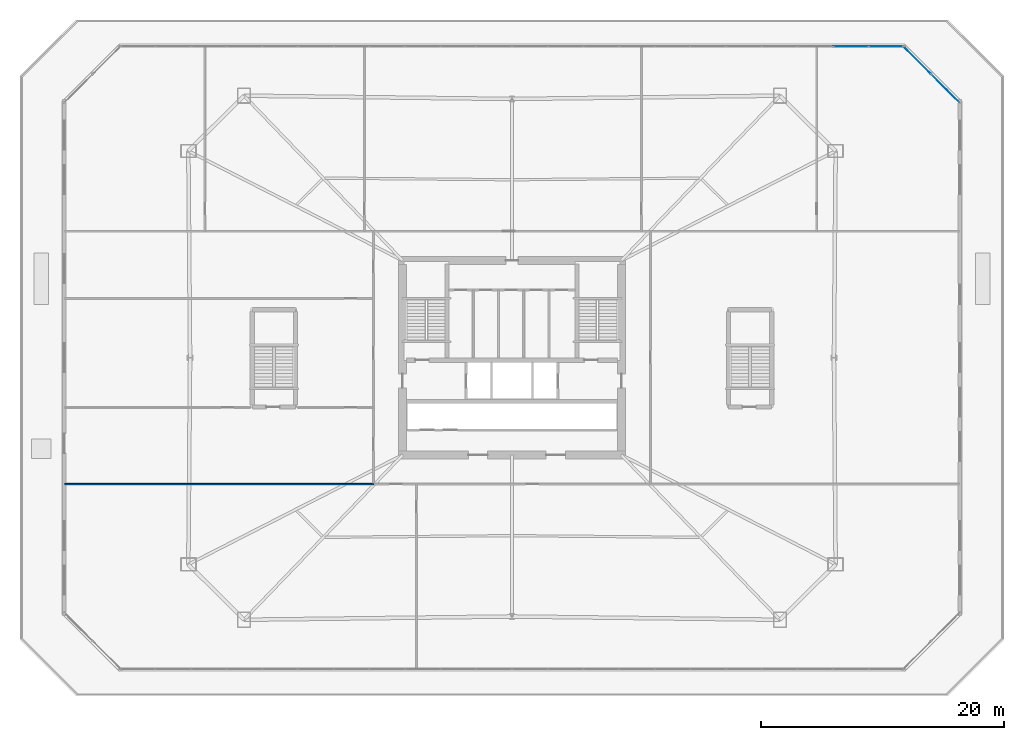
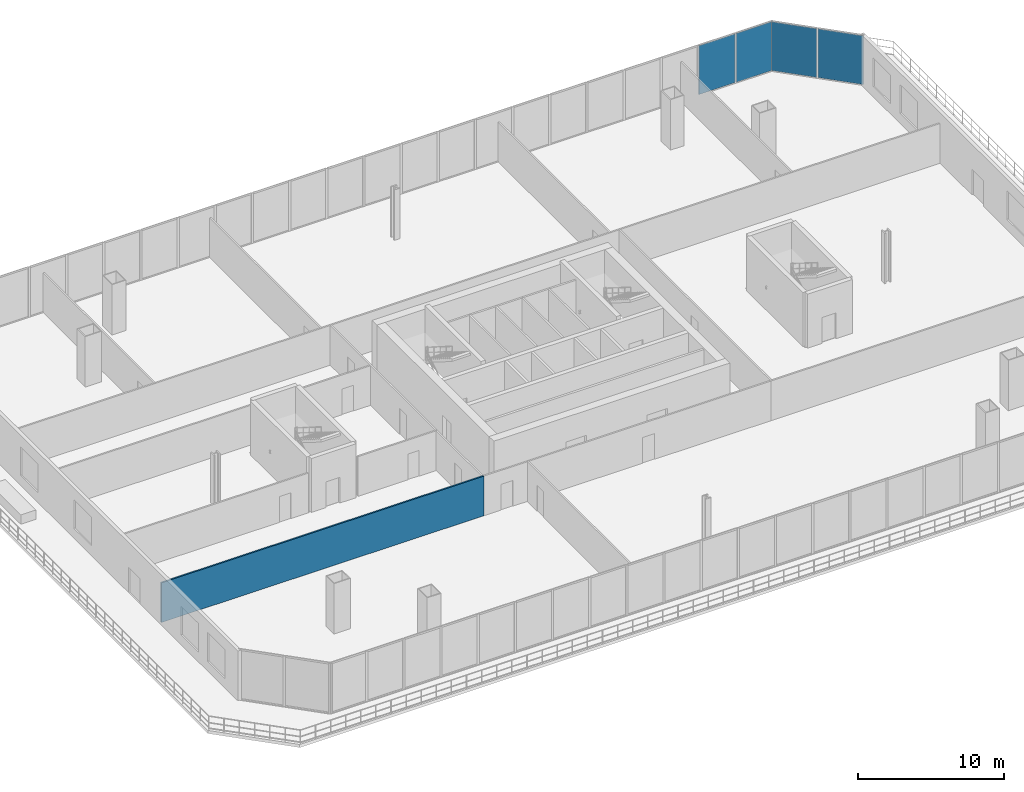
# One storey, part 24 of 31: 4 plates, 1 wall, 2 elements without a shape of their own.
"""IFC4 building model written with IfcOpenShell, lengths in metres."""

from ifc_helpers import new_model, si_unit, direction, frame, frame_2d, origin, origin_2d, place, context, subcontext, project, spatial, rectangle, extrude, material, layer, layer_set, type_object, element, aggregate, save


model = new_model("IFC4")

# Units and contexts
model_context = context("Model", 3, precision=1e-05, world=origin(), true_north=direction((0.0, 1.0)))
body_context = subcontext(model_context, "Body", "Model", "MODEL_VIEW")
ifc_project = project(units=[si_unit("LENGTHUNIT", "METRE"), si_unit("AREAUNIT", "SQUARE_METRE"), si_unit("VOLUMEUNIT", "CUBIC_METRE"), si_unit("PLANEANGLEUNIT", "RADIAN"), si_unit("MASSUNIT", "GRAM", prefix="KILO")], contexts=[model_context])

# Site, building, storey
site_placement = place(None, origin())
site = spatial("IfcSite", under=ifc_project, at=site_placement, CompositionType="ELEMENT")
building_placement = place(site_placement, origin())
building = spatial("IfcBuilding", under=site, at=building_placement, Name="Caelvoria Tower", CompositionType="ELEMENT")
storey_placement = place(building_placement, frame((0.0, 0.0, 9.5)))
storey = spatial("IfcBuildingStorey", under=building, at=storey_placement, Name="L02", CompositionType="ELEMENT", Elevation=9.5)

# Curtain wall, plates
ifc_material_1 = material(Name="Anodised Bronze Aluminium and Low-E Glass", Category="aluminium")
ifc_layer_1 = layer(ifc_material_1, 0.199951171875, Name="Anodised Bronze Aluminium and Low-E Glass")
ifc_layer_set_1 = layer_set([ifc_layer_1], Name="CW System 1 Podium Arcade Unitised Glazing - Anodised Bronze Aluminium and Low-E Glass")
curtain_wall_type = type_object("IfcCurtainWallType", Name="CW System 1 Podium Arcade Unitised Glazing", PredefinedType="NOTDEFINED", material=ifc_layer_set_1)
curtain_wall_1_placement = place(storey_placement, origin())
curtain_wall_1 = element("IfcCurtainWall", 1, at=curtain_wall_1_placement, inside=storey, type_object=curtain_wall_type, Name="CW-01 Curtain Wall L02-E3", PredefinedType="NOTDEFINED")
ifc_material_2 = material(Name="Tinted Low-E Insulated Glazing Unit", Category="glass")
ifc_layer_2 = layer(ifc_material_2, 0.028076171875, Name="Tinted Low-E Insulated Glazing Unit")
ifc_layer_set_2 = layer_set([ifc_layer_2], Name="Double-Glazed Solar-Control Vision Panel 28 - Tinted Low-E Insulated Glazing Unit")
plate_type = type_object("IfcPlateType", Name="Double-Glazed Solar-Control Vision Panel 28", PredefinedType="CURTAIN_PANEL", material=ifc_layer_set_2)
plate_1_placement = place(storey_placement, frame((81.685302734375, 54.16015625, 0.06494140625), z_axis=(0.0, 0.0, 1.0), x_axis=(-0.707106781187, 0.707106781187, 0.0)))
plate_1 = element("IfcPlate", 2, at=plate_1_placement, type_object=plate_type, Name="CW-01 panel 1.1", PredefinedType="CURTAIN_PANEL", context=body_context, shape_type="SweptSolid", body=[
    extrude(rectangle(XDim=3.218505859375, YDim=0.028076171875, at=origin_2d()), origin(), (0.0, 0.0, 1.0), 4.080078125),
])
plate_2_placement = place(storey_placement, frame((79.360107421875, 56.4853515625, 0.06494140625), z_axis=(0.0, 0.0, 1.0), x_axis=(-0.707106781187, 0.707106781187, 0.0)))
plate_2 = element("IfcPlate", 3, at=plate_2_placement, type_object=plate_type, Name="CW-01 panel 2.1", PredefinedType="CURTAIN_PANEL", context=body_context, shape_type="SweptSolid", body=[
    extrude(rectangle(XDim=3.218505859375, YDim=0.028076171875, at=origin_2d()), origin(), (0.0, 0.0, 1.0), 4.080078125),
])
aggregate(curtain_wall_1, [plate_1, plate_2])

curtain_wall_2_placement = place(storey_placement, origin())
curtain_wall_2 = element("IfcCurtainWall", 4, at=curtain_wall_2_placement, inside=storey, type_object=curtain_wall_type, Name="CW-01 Curtain Wall L02-E4", PredefinedType="NOTDEFINED")
plate_3_placement = place(storey_placement, frame((76.814208984375, 57.6201171875, 0.06494140625), z_axis=(0.0, 0.0, 1.0), x_axis=(-1.0, 0.0, 0.0)))
plate_3 = element("IfcPlate", 5, at=plate_3_placement, type_object=plate_type, Name="CW-01 panel 1.1", PredefinedType="CURTAIN_PANEL", context=body_context, shape_type="SweptSolid", body=[
    extrude(rectangle(XDim=2.831298828125, YDim=0.028076171875, at=origin_2d()), origin(), (0.0, 0.0, 1.0), 4.080078125),
])
plate_4_placement = place(storey_placement, frame((73.8955078125, 57.6201171875, 0.06494140625), z_axis=(0.0, 0.0, 1.0), x_axis=(-1.0, 0.0, 0.0)))
plate_4 = element("IfcPlate", 6, at=plate_4_placement, type_object=plate_type, Name="CW-01 panel 2.1", PredefinedType="CURTAIN_PANEL", context=body_context, shape_type="SweptSolid", body=[
    extrude(rectangle(XDim=2.866455078125, YDim=0.028076171875, at=origin_2d()), origin(), (0.0, 0.0, 1.0), 4.080078125),
])
aggregate(curtain_wall_2, [plate_3, plate_4])

# Wall
ifc_material_3 = material(Name="Acoustic Gypsum Board on Light-Gauge Stud", Category="gypsum")
ifc_layer_3 = layer(ifc_material_3, 0.1201171875, Name="Acoustic Gypsum Board on Light-Gauge Stud")
ifc_layer_set_3 = layer_set([ifc_layer_3], Name="Tenant Suite Acoustic Partition Wall 120 - Acoustic Gypsum Board on Light-Gauge Stud")
wall_type = type_object("IfcWallType", Name="Tenant Suite Acoustic Partition Wall 120", PredefinedType="PARTITIONING", material=ifc_layer_set_3)
wall_placement = place(storey_placement, frame((34.64990234375, 21.590087890625, 0.0), z_axis=(0.0, 0.0, 1.0), x_axis=(-1.0, 0.0, 0.0)))
element("IfcWall", 7, at=wall_placement, inside=storey, type_object=wall_type, Name="Interior Partition IW-L02-BSW-0", PredefinedType="PARTITIONING", context=body_context, shape_type="SweptSolid", body=[
    extrude(rectangle(XDim=25.469970703125, YDim=0.1201171875, at=frame_2d((12.73486328125, 0.0))), origin(), (0.0, 0.0, 1.0), 3.31005859375),
])

save(model, "model.ifc")
